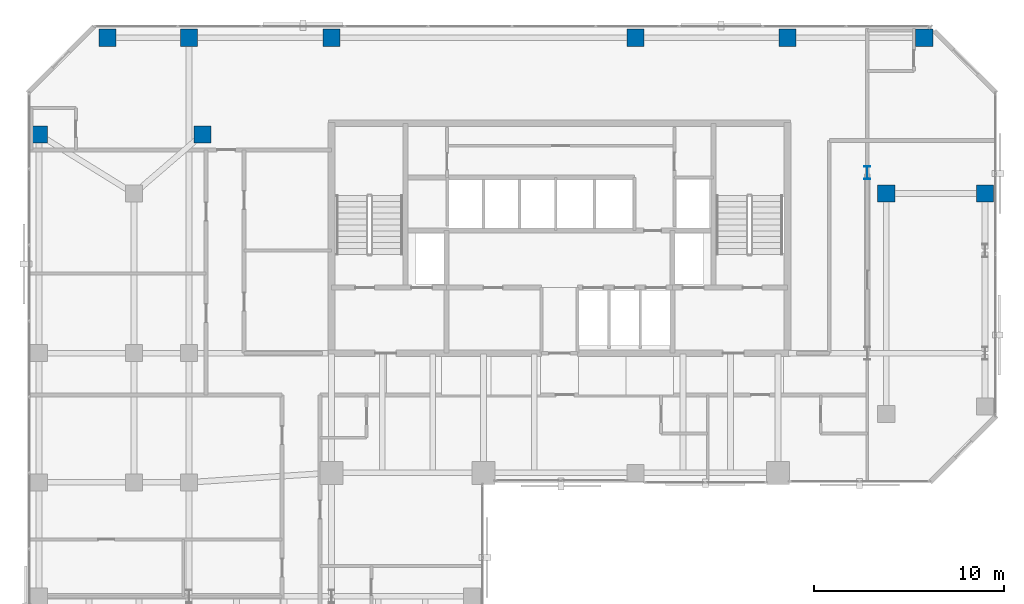
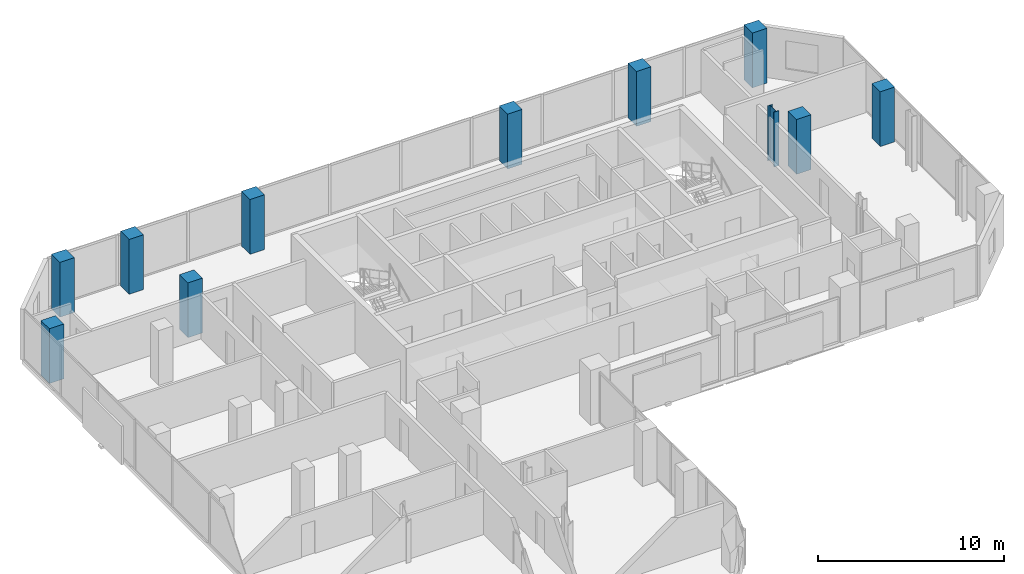
# One storey, part 2 of 33: 11 columns.
"""IFC4 building model written with IfcOpenShell, lengths in metres."""

from ifc_helpers import new_model, si_unit, direction, frame, origin, origin_2d, place, context, subcontext, project, spatial, rectangle, i_section, extrude, material, material_profile, profile_set, type_object, element, save


model = new_model("IFC4")

# Units and contexts
model_context = context("Model", 3, precision=1e-05, world=origin(), true_north=direction((0.0, 1.0)))
body_context = subcontext(model_context, "Body", "Model", "MODEL_VIEW")
ifc_project = project(units=[si_unit("LENGTHUNIT", "METRE"), si_unit("AREAUNIT", "SQUARE_METRE"), si_unit("VOLUMEUNIT", "CUBIC_METRE"), si_unit("PLANEANGLEUNIT", "RADIAN"), si_unit("MASSUNIT", "GRAM", prefix="KILO")], contexts=[model_context])

# Site, building, storey
site_placement = place(None, origin())
site = spatial("IfcSite", under=ifc_project, at=site_placement, CompositionType="ELEMENT")
building_placement = place(site_placement, origin())
building = spatial("IfcBuilding", under=site, at=building_placement, Name="Catumbela Crestline Tower", CompositionType="ELEMENT")
storey_placement = place(building_placement, frame((0.0, 0.0, 108.0)))
storey = spatial("IfcBuildingStorey", under=building, at=storey_placement, Name="L27", CompositionType="ELEMENT", Elevation=108.0)

# Columns
ifc_material_1 = material(Name="Concrete C50/60", Category="concrete")
ifc_material_profile_1 = material_profile(ifc_material_1, rectangle(XDim=0.9, YDim=0.9, at=origin_2d()), Name="RC 900x900")
ifc_profile_set_1 = profile_set([ifc_material_profile_1], Name="Concrete C50/60")
column_type_1 = type_object("IfcColumnType", Name="C-RC900-C50", PredefinedType="COLUMN", material=ifc_profile_set_1)
for number, where, z_axis, x_axis, name in (
    (1, (9.2, 42.3, 0.0), (0.0, 0.0, 1.0), (1.0, 0.0, 0.0), "L27 Column C-08-43 (RC 900x900)"),
    (2, (45.2, 39.2, 0.0), (0.0, 0.0, 1.0), (1.0, 0.0, 0.0), "L27 Column C-46-43 (RC 900x900)"),
    (3, (0.6, 42.3, 0.0), (0.0, 0.0, 1.0), (1.0, 0.0, 0.0), "L27 Column C-00-43 (RC 900x900)"),
    (4, (4.2, 47.4, 0.0), (0.0, 0.0, 1.0), (1.0, 0.0, 0.0), "L27 Column C-00-48 (RC 900x900)"),
    (5, (8.5, 47.4, 0.0), (0.0, 0.0, 1.0), (1.0, 0.0, 0.0), "L27 Column C-08-48 (RC 900x900)"),
    (6, (16.0, 47.4, 0.0), (0.0, 0.0, 1.0), (1.0, 0.0, 0.0), "L27 Column C-16-48 (RC 900x900)"),
    (7, (32.0, 47.4, 0.0), (0.0, 0.0, 1.0), (1.0, 0.0, 0.0), "L27 Column C-32-48 (RC 900x900)"),
    (8, (40.0, 47.4, 0.0), (0.0, 0.0, 1.0), (1.0, 0.0, 0.0), "L27 Column C-40-48 (RC 900x900)"),
    (9, (47.2, 47.4, 0.0), (0.0, 0.0, 1.0), (1.0, 0.0, 0.0), "L27 Column C-48-48 (RC 900x900)"),
    (10, (50.4, 39.2, 0.0), (0.0, 0.0, 1.0), (1.0, 0.0, 0.0), "L27 Column C-51-43 (RC 900x900)"),
):
    element("IfcColumn", number, at=place(storey_placement, frame(where, z_axis=z_axis, x_axis=x_axis)), inside=storey, type_object=column_type_1, Name=name, PredefinedType="COLUMN", context=body_context, shape_type="SweptSolid", body=[
        extrude(rectangle(XDim=0.9, YDim=0.9, at=origin_2d()), origin(), (0.0, 0.0, 1.0), 3.6),
    ])
ifc_material_2 = material(Name="Structural steel S460M", Category="steel")
ifc_material_profile_2 = material_profile(ifc_material_2, i_section(OverallWidth=0.3, OverallDepth=0.7, WebThickness=0.017, FlangeThickness=0.032, FilletRadius=0.027, at=origin_2d()), Name="HEB 700")
ifc_profile_set_2 = profile_set([ifc_material_profile_2], Name="Structural steel S460M")
column_type_2 = type_object("IfcColumnType", Name="C-ST-HEB700", PredefinedType="COLUMN", material=ifc_profile_set_2)
column_placement = place(storey_placement, frame((44.2, 40.3, 0.0), z_axis=(0.0, 0.0, 1.0), x_axis=(1.0, 0.0, 0.0)))
element("IfcColumn", 11, at=column_placement, inside=storey, type_object=column_type_2, Name="L27 Column CT-46-37 (HEB 700)", PredefinedType="COLUMN", context=body_context, shape_type="SweptSolid", body=[
    extrude(i_section(OverallWidth=0.3, OverallDepth=0.7, WebThickness=0.017, FlangeThickness=0.032, FilletRadius=0.027, at=origin_2d()), origin(), (0.0, 0.0, 1.0), 3.6),
])

save(model, "model.ifc")
